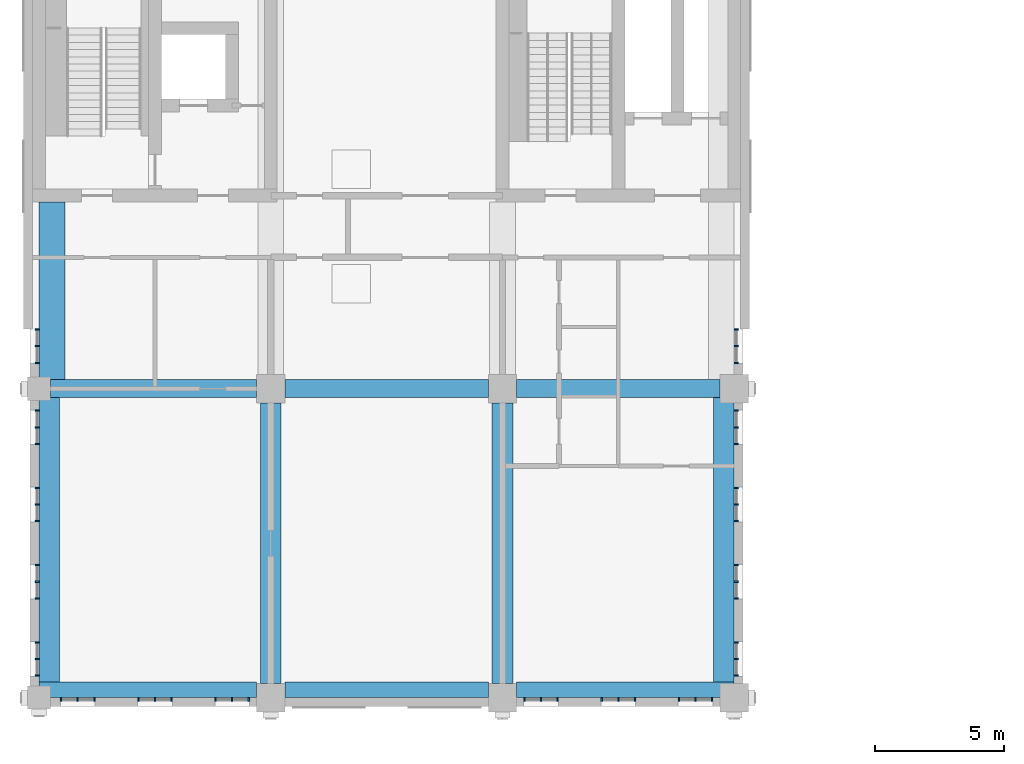
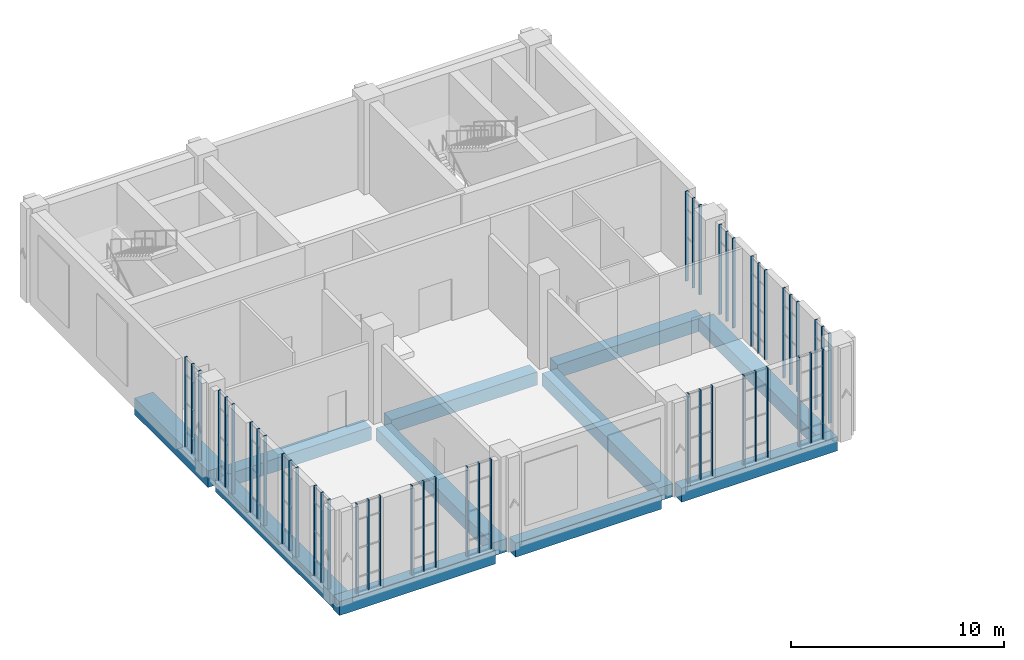
# One storey, part 2 of 22: 48 members, 11 beams, 16 elements without a shape of their own.
"""IFC4 building model written with IfcOpenShell, lengths in metres."""

from ifc_helpers import new_model, si_unit, direction, frame, origin, origin_2d, place, context, subcontext, project, spatial, rectangle, extrude, material, layer, layer_set, material_profile, profile_set, type_object, element, aggregate, save


model = new_model("IFC4")

# Units and contexts
model_context = context("Model", 3, precision=1e-05, world=origin(), true_north=direction((0.0, 1.0)))
body_context = subcontext(model_context, "Body", "Model", "MODEL_VIEW")
ifc_project = project(units=[si_unit("LENGTHUNIT", "METRE"), si_unit("AREAUNIT", "SQUARE_METRE"), si_unit("VOLUMEUNIT", "CUBIC_METRE"), si_unit("PLANEANGLEUNIT", "RADIAN"), si_unit("MASSUNIT", "GRAM", prefix="KILO")], contexts=[model_context])

# Site, building, storey
site_placement = place(None, origin())
site = spatial("IfcSite", under=ifc_project, at=site_placement, CompositionType="ELEMENT")
building_placement = place(site_placement, origin())
building = spatial("IfcBuilding", under=site, at=building_placement, Name="Aurelan Courthouse", CompositionType="ELEMENT")
storey_placement = place(building_placement, frame((0.0, 0.0, 39.0)))
storey = spatial("IfcBuildingStorey", under=building, at=storey_placement, Name="L07", CompositionType="ELEMENT", Elevation=39.0)

# Curtain wall, members
ifc_material_1 = material(Name="Bronze-finished aluminium and glass", Category="aluminium")
ifc_layer = layer(ifc_material_1, 0.14990234375)
ifc_layer_set = layer_set([ifc_layer], Name="Bronze-finished aluminium and glass")
curtain_wall_type = type_object("IfcCurtainWallType", Name="Curtain wall 1350 x 5150", PredefinedType="NOTDEFINED", material=ifc_layer_set)
curtain_wall_1_placement = place(storey_placement, origin())
curtain_wall_1 = element("IfcCurtainWall", 1, at=curtain_wall_1_placement, inside=storey, type_object=curtain_wall_type, Name="Curtain wall CW-V5-L07-S01", PredefinedType="NOTDEFINED")
ifc_material_2 = material(Name="Bronze-finished aluminium", Category="aluminium")
ifc_material_profile_1 = material_profile(ifc_material_2, rectangle(XDim=0.14990234375, YDim=0.06005859375, at=origin_2d()), Name="Bronze mullion 60 x 150")
ifc_profile_set_1 = profile_set([ifc_material_profile_1], Name="Bronze-finished aluminium")
member_type = type_object("IfcMemberType", Name="Curtain wall mullion 60 x 150", PredefinedType="MULLION", material=ifc_profile_set_1)
member_1_placement = place(storey_placement, frame((0.85498046875, -0.074951171875, 0.0), z_axis=(0.0, 0.0, 1.0), x_axis=(0.0, 1.0, 0.0)))
member_1 = element("IfcMember", 2, at=member_1_placement, type_object=member_type, Name="CW-V5-L07-S01 mullion 1", PredefinedType="MULLION", context=body_context, shape_type="SweptSolid", body=[
    extrude(rectangle(XDim=0.14990234375, YDim=0.06005859375, at=origin_2d()), origin(), (0.0, 0.0, 1.0), 5.14990234375),
])
member_2_placement = place(storey_placement, frame((1.5, -0.074951171875, 0.0), z_axis=(0.0, 0.0, 1.0), x_axis=(0.0, 1.0, 0.0)))
member_2 = element("IfcMember", 3, at=member_2_placement, type_object=member_type, Name="CW-V5-L07-S01 mullion 2", PredefinedType="MULLION", context=body_context, shape_type="SweptSolid", body=[
    extrude(rectangle(XDim=0.14990234375, YDim=0.06005859375, at=origin_2d()), origin(), (0.0, 0.0, 1.0), 5.14990234375),
])
member_3_placement = place(storey_placement, frame((2.14501953125, -0.074951171875, 0.0), z_axis=(0.0, 0.0, 1.0), x_axis=(0.0, 1.0, 0.0)))
member_3 = element("IfcMember", 4, at=member_3_placement, type_object=member_type, Name="CW-V5-L07-S01 mullion 3", PredefinedType="MULLION", context=body_context, shape_type="SweptSolid", body=[
    extrude(rectangle(XDim=0.14990234375, YDim=0.06005859375, at=origin_2d()), origin(), (0.0, 0.0, 1.0), 5.14990234375),
])
aggregate(curtain_wall_1, [member_1, member_2, member_3])

curtain_wall_2_placement = place(storey_placement, origin())
curtain_wall_2 = element("IfcCurtainWall", 5, at=curtain_wall_2_placement, inside=storey, type_object=curtain_wall_type, Name="Curtain wall CW-V5-L07-S02", PredefinedType="NOTDEFINED")
member_4_placement = place(storey_placement, frame((3.85498046875, -0.074951171875, 0.0), z_axis=(0.0, 0.0, 1.0), x_axis=(0.0, 1.0, 0.0)))
member_4 = element("IfcMember", 6, at=member_4_placement, type_object=member_type, Name="CW-V5-L07-S02 mullion 1", PredefinedType="MULLION", context=body_context, shape_type="SweptSolid", body=[
    extrude(rectangle(XDim=0.14990234375, YDim=0.06005859375, at=origin_2d()), origin(), (0.0, 0.0, 1.0), 5.14990234375),
])
member_5_placement = place(storey_placement, frame((4.5, -0.074951171875, 0.0), z_axis=(0.0, 0.0, 1.0), x_axis=(0.0, 1.0, 0.0)))
member_5 = element("IfcMember", 7, at=member_5_placement, type_object=member_type, Name="CW-V5-L07-S02 mullion 2", PredefinedType="MULLION", context=body_context, shape_type="SweptSolid", body=[
    extrude(rectangle(XDim=0.14990234375, YDim=0.06005859375, at=origin_2d()), origin(), (0.0, 0.0, 1.0), 5.14990234375),
])
member_6_placement = place(storey_placement, frame((5.14501953125, -0.074951171875, 0.0), z_axis=(0.0, 0.0, 1.0), x_axis=(0.0, 1.0, 0.0)))
member_6 = element("IfcMember", 8, at=member_6_placement, type_object=member_type, Name="CW-V5-L07-S02 mullion 3", PredefinedType="MULLION", context=body_context, shape_type="SweptSolid", body=[
    extrude(rectangle(XDim=0.14990234375, YDim=0.06005859375, at=origin_2d()), origin(), (0.0, 0.0, 1.0), 5.14990234375),
])
aggregate(curtain_wall_2, [member_4, member_5, member_6])

curtain_wall_3_placement = place(storey_placement, origin())
curtain_wall_3 = element("IfcCurtainWall", 9, at=curtain_wall_3_placement, inside=storey, type_object=curtain_wall_type, Name="Curtain wall CW-V5-L07-S03", PredefinedType="NOTDEFINED")
member_7_placement = place(storey_placement, frame((6.85498046875, -0.074951171875, 0.0), z_axis=(0.0, 0.0, 1.0), x_axis=(0.0, 1.0, 0.0)))
member_7 = element("IfcMember", 10, at=member_7_placement, type_object=member_type, Name="CW-V5-L07-S03 mullion 1", PredefinedType="MULLION", context=body_context, shape_type="SweptSolid", body=[
    extrude(rectangle(XDim=0.14990234375, YDim=0.06005859375, at=origin_2d()), origin(), (0.0, 0.0, 1.0), 5.14990234375),
])
member_8_placement = place(storey_placement, frame((7.5, -0.074951171875, 0.0), z_axis=(0.0, 0.0, 1.0), x_axis=(0.0, 1.0, 0.0)))
member_8 = element("IfcMember", 11, at=member_8_placement, type_object=member_type, Name="CW-V5-L07-S03 mullion 2", PredefinedType="MULLION", context=body_context, shape_type="SweptSolid", body=[
    extrude(rectangle(XDim=0.14990234375, YDim=0.06005859375, at=origin_2d()), origin(), (0.0, 0.0, 1.0), 5.14990234375),
])
member_9_placement = place(storey_placement, frame((8.14501953125, -0.074951171875, 0.0), z_axis=(0.0, 0.0, 1.0), x_axis=(0.0, 1.0, 0.0)))
member_9 = element("IfcMember", 12, at=member_9_placement, type_object=member_type, Name="CW-V5-L07-S03 mullion 3", PredefinedType="MULLION", context=body_context, shape_type="SweptSolid", body=[
    extrude(rectangle(XDim=0.14990234375, YDim=0.06005859375, at=origin_2d()), origin(), (0.0, 0.0, 1.0), 5.14990234375),
])
aggregate(curtain_wall_3, [member_7, member_8, member_9])

curtain_wall_4_placement = place(storey_placement, origin())
curtain_wall_4 = element("IfcCurtainWall", 13, at=curtain_wall_4_placement, inside=storey, type_object=curtain_wall_type, Name="Curtain wall CW-V5-L07-S04", PredefinedType="NOTDEFINED")
member_10_placement = place(storey_placement, frame((18.85498046875, -0.074951171875, 0.0), z_axis=(0.0, 0.0, 1.0), x_axis=(0.0, 1.0, 0.0)))
member_10 = element("IfcMember", 14, at=member_10_placement, type_object=member_type, Name="CW-V5-L07-S04 mullion 1", PredefinedType="MULLION", context=body_context, shape_type="SweptSolid", body=[
    extrude(rectangle(XDim=0.14990234375, YDim=0.06005859375, at=origin_2d()), origin(), (0.0, 0.0, 1.0), 5.14990234375),
])
member_11_placement = place(storey_placement, frame((19.5, -0.074951171875, 0.0), z_axis=(0.0, 0.0, 1.0), x_axis=(0.0, 1.0, 0.0)))
member_11 = element("IfcMember", 15, at=member_11_placement, type_object=member_type, Name="CW-V5-L07-S04 mullion 2", PredefinedType="MULLION", context=body_context, shape_type="SweptSolid", body=[
    extrude(rectangle(XDim=0.14990234375, YDim=0.06005859375, at=origin_2d()), origin(), (0.0, 0.0, 1.0), 5.14990234375),
])
member_12_placement = place(storey_placement, frame((20.14501953125, -0.074951171875, 0.0), z_axis=(0.0, 0.0, 1.0), x_axis=(0.0, 1.0, 0.0)))
member_12 = element("IfcMember", 16, at=member_12_placement, type_object=member_type, Name="CW-V5-L07-S04 mullion 3", PredefinedType="MULLION", context=body_context, shape_type="SweptSolid", body=[
    extrude(rectangle(XDim=0.14990234375, YDim=0.06005859375, at=origin_2d()), origin(), (0.0, 0.0, 1.0), 5.14990234375),
])
aggregate(curtain_wall_4, [member_10, member_11, member_12])

curtain_wall_5_placement = place(storey_placement, origin())
curtain_wall_5 = element("IfcCurtainWall", 17, at=curtain_wall_5_placement, inside=storey, type_object=curtain_wall_type, Name="Curtain wall CW-V5-L07-S05", PredefinedType="NOTDEFINED")
member_13_placement = place(storey_placement, frame((21.85498046875, -0.074951171875, 0.0), z_axis=(0.0, 0.0, 1.0), x_axis=(0.0, 1.0, 0.0)))
member_13 = element("IfcMember", 18, at=member_13_placement, type_object=member_type, Name="CW-V5-L07-S05 mullion 1", PredefinedType="MULLION", context=body_context, shape_type="SweptSolid", body=[
    extrude(rectangle(XDim=0.14990234375, YDim=0.06005859375, at=origin_2d()), origin(), (0.0, 0.0, 1.0), 5.14990234375),
])
member_14_placement = place(storey_placement, frame((22.5, -0.074951171875, 0.0), z_axis=(0.0, 0.0, 1.0), x_axis=(0.0, 1.0, 0.0)))
member_14 = element("IfcMember", 19, at=member_14_placement, type_object=member_type, Name="CW-V5-L07-S05 mullion 2", PredefinedType="MULLION", context=body_context, shape_type="SweptSolid", body=[
    extrude(rectangle(XDim=0.14990234375, YDim=0.06005859375, at=origin_2d()), origin(), (0.0, 0.0, 1.0), 5.14990234375),
])
member_15_placement = place(storey_placement, frame((23.14501953125, -0.074951171875, 0.0), z_axis=(0.0, 0.0, 1.0), x_axis=(0.0, 1.0, 0.0)))
member_15 = element("IfcMember", 20, at=member_15_placement, type_object=member_type, Name="CW-V5-L07-S05 mullion 3", PredefinedType="MULLION", context=body_context, shape_type="SweptSolid", body=[
    extrude(rectangle(XDim=0.14990234375, YDim=0.06005859375, at=origin_2d()), origin(), (0.0, 0.0, 1.0), 5.14990234375),
])
aggregate(curtain_wall_5, [member_13, member_14, member_15])

curtain_wall_6_placement = place(storey_placement, origin())
curtain_wall_6 = element("IfcCurtainWall", 21, at=curtain_wall_6_placement, inside=storey, type_object=curtain_wall_type, Name="Curtain wall CW-V5-L07-S06", PredefinedType="NOTDEFINED")
member_16_placement = place(storey_placement, frame((24.85498046875, -0.074951171875, 0.0), z_axis=(0.0, 0.0, 1.0), x_axis=(0.0, 1.0, 0.0)))
member_16 = element("IfcMember", 22, at=member_16_placement, type_object=member_type, Name="CW-V5-L07-S06 mullion 1", PredefinedType="MULLION", context=body_context, shape_type="SweptSolid", body=[
    extrude(rectangle(XDim=0.14990234375, YDim=0.06005859375, at=origin_2d()), origin(), (0.0, 0.0, 1.0), 5.14990234375),
])
member_17_placement = place(storey_placement, frame((25.5, -0.074951171875, 0.0), z_axis=(0.0, 0.0, 1.0), x_axis=(0.0, 1.0, 0.0)))
member_17 = element("IfcMember", 23, at=member_17_placement, type_object=member_type, Name="CW-V5-L07-S06 mullion 2", PredefinedType="MULLION", context=body_context, shape_type="SweptSolid", body=[
    extrude(rectangle(XDim=0.14990234375, YDim=0.06005859375, at=origin_2d()), origin(), (0.0, 0.0, 1.0), 5.14990234375),
])
member_18_placement = place(storey_placement, frame((26.14501953125, -0.074951171875, 0.0), z_axis=(0.0, 0.0, 1.0), x_axis=(0.0, 1.0, 0.0)))
member_18 = element("IfcMember", 24, at=member_18_placement, type_object=member_type, Name="CW-V5-L07-S06 mullion 3", PredefinedType="MULLION", context=body_context, shape_type="SweptSolid", body=[
    extrude(rectangle(XDim=0.14990234375, YDim=0.06005859375, at=origin_2d()), origin(), (0.0, 0.0, 1.0), 5.14990234375),
])
aggregate(curtain_wall_6, [member_16, member_17, member_18])

curtain_wall_7_placement = place(storey_placement, origin())
curtain_wall_7 = element("IfcCurtainWall", 25, at=curtain_wall_7_placement, inside=storey, type_object=curtain_wall_type, Name="Curtain wall CW-V5-L07-E01", PredefinedType="NOTDEFINED")
member_19_placement = place(storey_placement, frame((27.074951171875, 0.85498046875, 0.0), z_axis=(0.0, 0.0, 1.0), x_axis=(-1.0, 0.0, 0.0)))
member_19 = element("IfcMember", 26, at=member_19_placement, type_object=member_type, Name="CW-V5-L07-E01 mullion 1", PredefinedType="MULLION", context=body_context, shape_type="SweptSolid", body=[
    extrude(rectangle(XDim=0.14990234375, YDim=0.06005859375, at=origin_2d()), origin(), (0.0, 0.0, 1.0), 5.14990234375),
])
member_20_placement = place(storey_placement, frame((27.074951171875, 1.5, 0.0), z_axis=(0.0, 0.0, 1.0), x_axis=(-1.0, 0.0, 0.0)))
member_20 = element("IfcMember", 27, at=member_20_placement, type_object=member_type, Name="CW-V5-L07-E01 mullion 2", PredefinedType="MULLION", context=body_context, shape_type="SweptSolid", body=[
    extrude(rectangle(XDim=0.14990234375, YDim=0.06005859375, at=origin_2d()), origin(), (0.0, 0.0, 1.0), 5.14990234375),
])
member_21_placement = place(storey_placement, frame((27.074951171875, 2.14501953125, 0.0), z_axis=(0.0, 0.0, 1.0), x_axis=(-1.0, 0.0, 0.0)))
member_21 = element("IfcMember", 28, at=member_21_placement, type_object=member_type, Name="CW-V5-L07-E01 mullion 3", PredefinedType="MULLION", context=body_context, shape_type="SweptSolid", body=[
    extrude(rectangle(XDim=0.14990234375, YDim=0.06005859375, at=origin_2d()), origin(), (0.0, 0.0, 1.0), 5.14990234375),
])
aggregate(curtain_wall_7, [member_19, member_20, member_21])

curtain_wall_8_placement = place(storey_placement, origin())
curtain_wall_8 = element("IfcCurtainWall", 29, at=curtain_wall_8_placement, inside=storey, type_object=curtain_wall_type, Name="Curtain wall CW-V5-L07-E02", PredefinedType="NOTDEFINED")
member_22_placement = place(storey_placement, frame((27.074951171875, 3.85498046875, 0.0), z_axis=(0.0, 0.0, 1.0), x_axis=(-1.0, 0.0, 0.0)))
member_22 = element("IfcMember", 30, at=member_22_placement, type_object=member_type, Name="CW-V5-L07-E02 mullion 1", PredefinedType="MULLION", context=body_context, shape_type="SweptSolid", body=[
    extrude(rectangle(XDim=0.14990234375, YDim=0.06005859375, at=origin_2d()), origin(), (0.0, 0.0, 1.0), 5.14990234375),
])
member_23_placement = place(storey_placement, frame((27.074951171875, 4.5, 0.0), z_axis=(0.0, 0.0, 1.0), x_axis=(-1.0, 0.0, 0.0)))
member_23 = element("IfcMember", 31, at=member_23_placement, type_object=member_type, Name="CW-V5-L07-E02 mullion 2", PredefinedType="MULLION", context=body_context, shape_type="SweptSolid", body=[
    extrude(rectangle(XDim=0.14990234375, YDim=0.06005859375, at=origin_2d()), origin(), (0.0, 0.0, 1.0), 5.14990234375),
])
member_24_placement = place(storey_placement, frame((27.074951171875, 5.14501953125, 0.0), z_axis=(0.0, 0.0, 1.0), x_axis=(-1.0, 0.0, 0.0)))
member_24 = element("IfcMember", 32, at=member_24_placement, type_object=member_type, Name="CW-V5-L07-E02 mullion 3", PredefinedType="MULLION", context=body_context, shape_type="SweptSolid", body=[
    extrude(rectangle(XDim=0.14990234375, YDim=0.06005859375, at=origin_2d()), origin(), (0.0, 0.0, 1.0), 5.14990234375),
])
aggregate(curtain_wall_8, [member_22, member_23, member_24])

curtain_wall_9_placement = place(storey_placement, origin())
curtain_wall_9 = element("IfcCurtainWall", 33, at=curtain_wall_9_placement, inside=storey, type_object=curtain_wall_type, Name="Curtain wall CW-V5-L07-E03", PredefinedType="NOTDEFINED")
member_25_placement = place(storey_placement, frame((27.074951171875, 6.85498046875, 0.0), z_axis=(0.0, 0.0, 1.0), x_axis=(-1.0, 0.0, 0.0)))
member_25 = element("IfcMember", 34, at=member_25_placement, type_object=member_type, Name="CW-V5-L07-E03 mullion 1", PredefinedType="MULLION", context=body_context, shape_type="SweptSolid", body=[
    extrude(rectangle(XDim=0.14990234375, YDim=0.06005859375, at=origin_2d()), origin(), (0.0, 0.0, 1.0), 5.14990234375),
])
member_26_placement = place(storey_placement, frame((27.074951171875, 7.5, 0.0), z_axis=(0.0, 0.0, 1.0), x_axis=(-1.0, 0.0, 0.0)))
member_26 = element("IfcMember", 35, at=member_26_placement, type_object=member_type, Name="CW-V5-L07-E03 mullion 2", PredefinedType="MULLION", context=body_context, shape_type="SweptSolid", body=[
    extrude(rectangle(XDim=0.14990234375, YDim=0.06005859375, at=origin_2d()), origin(), (0.0, 0.0, 1.0), 5.14990234375),
])
member_27_placement = place(storey_placement, frame((27.074951171875, 8.14501953125, 0.0), z_axis=(0.0, 0.0, 1.0), x_axis=(-1.0, 0.0, 0.0)))
member_27 = element("IfcMember", 36, at=member_27_placement, type_object=member_type, Name="CW-V5-L07-E03 mullion 3", PredefinedType="MULLION", context=body_context, shape_type="SweptSolid", body=[
    extrude(rectangle(XDim=0.14990234375, YDim=0.06005859375, at=origin_2d()), origin(), (0.0, 0.0, 1.0), 5.14990234375),
])
aggregate(curtain_wall_9, [member_25, member_26, member_27])

curtain_wall_10_placement = place(storey_placement, origin())
curtain_wall_10 = element("IfcCurtainWall", 37, at=curtain_wall_10_placement, inside=storey, type_object=curtain_wall_type, Name="Curtain wall CW-V5-L07-E04", PredefinedType="NOTDEFINED")
member_28_placement = place(storey_placement, frame((27.074951171875, 9.85498046875, 0.0), z_axis=(0.0, 0.0, 1.0), x_axis=(-1.0, 0.0, 0.0)))
member_28 = element("IfcMember", 38, at=member_28_placement, type_object=member_type, Name="CW-V5-L07-E04 mullion 1", PredefinedType="MULLION", context=body_context, shape_type="SweptSolid", body=[
    extrude(rectangle(XDim=0.14990234375, YDim=0.06005859375, at=origin_2d()), origin(), (0.0, 0.0, 1.0), 5.14990234375),
])
member_29_placement = place(storey_placement, frame((27.074951171875, 10.5, 0.0), z_axis=(0.0, 0.0, 1.0), x_axis=(-1.0, 0.0, 0.0)))
member_29 = element("IfcMember", 39, at=member_29_placement, type_object=member_type, Name="CW-V5-L07-E04 mullion 2", PredefinedType="MULLION", context=body_context, shape_type="SweptSolid", body=[
    extrude(rectangle(XDim=0.14990234375, YDim=0.06005859375, at=origin_2d()), origin(), (0.0, 0.0, 1.0), 5.14990234375),
])
member_30_placement = place(storey_placement, frame((27.074951171875, 11.14501953125, 0.0), z_axis=(0.0, 0.0, 1.0), x_axis=(-1.0, 0.0, 0.0)))
member_30 = element("IfcMember", 40, at=member_30_placement, type_object=member_type, Name="CW-V5-L07-E04 mullion 3", PredefinedType="MULLION", context=body_context, shape_type="SweptSolid", body=[
    extrude(rectangle(XDim=0.14990234375, YDim=0.06005859375, at=origin_2d()), origin(), (0.0, 0.0, 1.0), 5.14990234375),
])
aggregate(curtain_wall_10, [member_28, member_29, member_30])

curtain_wall_11_placement = place(storey_placement, origin())
curtain_wall_11 = element("IfcCurtainWall", 41, at=curtain_wall_11_placement, inside=storey, type_object=curtain_wall_type, Name="Curtain wall CW-V5-L07-E05", PredefinedType="NOTDEFINED")
member_31_placement = place(storey_placement, frame((27.074951171875, 13.0048828125, 0.0), z_axis=(0.0, 0.0, 1.0), x_axis=(-1.0, 0.0, 0.0)))
member_31 = element("IfcMember", 42, at=member_31_placement, type_object=member_type, Name="CW-V5-L07-E05 mullion 1", PredefinedType="MULLION", context=body_context, shape_type="SweptSolid", body=[
    extrude(rectangle(XDim=0.14990234375, YDim=0.06005859375, at=origin_2d()), origin(), (0.0, 0.0, 1.0), 5.14990234375),
])
member_32_placement = place(storey_placement, frame((27.074951171875, 13.64990234375, 0.0), z_axis=(0.0, 0.0, 1.0), x_axis=(-1.0, 0.0, 0.0)))
member_32 = element("IfcMember", 43, at=member_32_placement, type_object=member_type, Name="CW-V5-L07-E05 mullion 2", PredefinedType="MULLION", context=body_context, shape_type="SweptSolid", body=[
    extrude(rectangle(XDim=0.14990234375, YDim=0.06005859375, at=origin_2d()), origin(), (0.0, 0.0, 1.0), 5.14990234375),
])
member_33_placement = place(storey_placement, frame((27.074951171875, 14.294921875, 0.0), z_axis=(0.0, 0.0, 1.0), x_axis=(-1.0, 0.0, 0.0)))
member_33 = element("IfcMember", 44, at=member_33_placement, type_object=member_type, Name="CW-V5-L07-E05 mullion 3", PredefinedType="MULLION", context=body_context, shape_type="SweptSolid", body=[
    extrude(rectangle(XDim=0.14990234375, YDim=0.06005859375, at=origin_2d()), origin(), (0.0, 0.0, 1.0), 5.14990234375),
])
aggregate(curtain_wall_11, [member_31, member_32, member_33])

curtain_wall_12_placement = place(storey_placement, origin())
curtain_wall_12 = element("IfcCurtainWall", 45, at=curtain_wall_12_placement, inside=storey, type_object=curtain_wall_type, Name="Curtain wall CW-V5-L07-W01", PredefinedType="NOTDEFINED")
member_34_placement = place(storey_placement, frame((-0.074951171875, 0.85498046875, 0.0), z_axis=(0.0, 0.0, 1.0), x_axis=(-1.0, 0.0, 0.0)))
member_34 = element("IfcMember", 46, at=member_34_placement, type_object=member_type, Name="CW-V5-L07-W01 mullion 1", PredefinedType="MULLION", context=body_context, shape_type="SweptSolid", body=[
    extrude(rectangle(XDim=0.14990234375, YDim=0.06005859375, at=origin_2d()), origin(), (0.0, 0.0, 1.0), 5.14990234375),
])
member_35_placement = place(storey_placement, frame((-0.074951171875, 1.5, 0.0), z_axis=(0.0, 0.0, 1.0), x_axis=(-1.0, 0.0, 0.0)))
member_35 = element("IfcMember", 47, at=member_35_placement, type_object=member_type, Name="CW-V5-L07-W01 mullion 2", PredefinedType="MULLION", context=body_context, shape_type="SweptSolid", body=[
    extrude(rectangle(XDim=0.14990234375, YDim=0.06005859375, at=origin_2d()), origin(), (0.0, 0.0, 1.0), 5.14990234375),
])
member_36_placement = place(storey_placement, frame((-0.074951171875, 2.14501953125, 0.0), z_axis=(0.0, 0.0, 1.0), x_axis=(-1.0, 0.0, 0.0)))
member_36 = element("IfcMember", 48, at=member_36_placement, type_object=member_type, Name="CW-V5-L07-W01 mullion 3", PredefinedType="MULLION", context=body_context, shape_type="SweptSolid", body=[
    extrude(rectangle(XDim=0.14990234375, YDim=0.06005859375, at=origin_2d()), origin(), (0.0, 0.0, 1.0), 5.14990234375),
])
aggregate(curtain_wall_12, [member_34, member_35, member_36])

curtain_wall_13_placement = place(storey_placement, origin())
curtain_wall_13 = element("IfcCurtainWall", 49, at=curtain_wall_13_placement, inside=storey, type_object=curtain_wall_type, Name="Curtain wall CW-V5-L07-W02", PredefinedType="NOTDEFINED")
member_37_placement = place(storey_placement, frame((-0.074951171875, 3.85498046875, 0.0), z_axis=(0.0, 0.0, 1.0), x_axis=(-1.0, 0.0, 0.0)))
member_37 = element("IfcMember", 50, at=member_37_placement, type_object=member_type, Name="CW-V5-L07-W02 mullion 1", PredefinedType="MULLION", context=body_context, shape_type="SweptSolid", body=[
    extrude(rectangle(XDim=0.14990234375, YDim=0.06005859375, at=origin_2d()), origin(), (0.0, 0.0, 1.0), 5.14990234375),
])
member_38_placement = place(storey_placement, frame((-0.074951171875, 4.5, 0.0), z_axis=(0.0, 0.0, 1.0), x_axis=(-1.0, 0.0, 0.0)))
member_38 = element("IfcMember", 51, at=member_38_placement, type_object=member_type, Name="CW-V5-L07-W02 mullion 2", PredefinedType="MULLION", context=body_context, shape_type="SweptSolid", body=[
    extrude(rectangle(XDim=0.14990234375, YDim=0.06005859375, at=origin_2d()), origin(), (0.0, 0.0, 1.0), 5.14990234375),
])
member_39_placement = place(storey_placement, frame((-0.074951171875, 5.14501953125, 0.0), z_axis=(0.0, 0.0, 1.0), x_axis=(-1.0, 0.0, 0.0)))
member_39 = element("IfcMember", 52, at=member_39_placement, type_object=member_type, Name="CW-V5-L07-W02 mullion 3", PredefinedType="MULLION", context=body_context, shape_type="SweptSolid", body=[
    extrude(rectangle(XDim=0.14990234375, YDim=0.06005859375, at=origin_2d()), origin(), (0.0, 0.0, 1.0), 5.14990234375),
])
aggregate(curtain_wall_13, [member_37, member_38, member_39])

curtain_wall_14_placement = place(storey_placement, origin())
curtain_wall_14 = element("IfcCurtainWall", 53, at=curtain_wall_14_placement, inside=storey, type_object=curtain_wall_type, Name="Curtain wall CW-V5-L07-W03", PredefinedType="NOTDEFINED")
member_40_placement = place(storey_placement, frame((-0.074951171875, 6.85498046875, 0.0), z_axis=(0.0, 0.0, 1.0), x_axis=(-1.0, 0.0, 0.0)))
member_40 = element("IfcMember", 54, at=member_40_placement, type_object=member_type, Name="CW-V5-L07-W03 mullion 1", PredefinedType="MULLION", context=body_context, shape_type="SweptSolid", body=[
    extrude(rectangle(XDim=0.14990234375, YDim=0.06005859375, at=origin_2d()), origin(), (0.0, 0.0, 1.0), 5.14990234375),
])
member_41_placement = place(storey_placement, frame((-0.074951171875, 7.5, 0.0), z_axis=(0.0, 0.0, 1.0), x_axis=(-1.0, 0.0, 0.0)))
member_41 = element("IfcMember", 55, at=member_41_placement, type_object=member_type, Name="CW-V5-L07-W03 mullion 2", PredefinedType="MULLION", context=body_context, shape_type="SweptSolid", body=[
    extrude(rectangle(XDim=0.14990234375, YDim=0.06005859375, at=origin_2d()), origin(), (0.0, 0.0, 1.0), 5.14990234375),
])
member_42_placement = place(storey_placement, frame((-0.074951171875, 8.14501953125, 0.0), z_axis=(0.0, 0.0, 1.0), x_axis=(-1.0, 0.0, 0.0)))
member_42 = element("IfcMember", 56, at=member_42_placement, type_object=member_type, Name="CW-V5-L07-W03 mullion 3", PredefinedType="MULLION", context=body_context, shape_type="SweptSolid", body=[
    extrude(rectangle(XDim=0.14990234375, YDim=0.06005859375, at=origin_2d()), origin(), (0.0, 0.0, 1.0), 5.14990234375),
])
aggregate(curtain_wall_14, [member_40, member_41, member_42])

curtain_wall_15_placement = place(storey_placement, origin())
curtain_wall_15 = element("IfcCurtainWall", 57, at=curtain_wall_15_placement, inside=storey, type_object=curtain_wall_type, Name="Curtain wall CW-V5-L07-W04", PredefinedType="NOTDEFINED")
member_43_placement = place(storey_placement, frame((-0.074951171875, 9.85498046875, 0.0), z_axis=(0.0, 0.0, 1.0), x_axis=(-1.0, 0.0, 0.0)))
member_43 = element("IfcMember", 58, at=member_43_placement, type_object=member_type, Name="CW-V5-L07-W04 mullion 1", PredefinedType="MULLION", context=body_context, shape_type="SweptSolid", body=[
    extrude(rectangle(XDim=0.14990234375, YDim=0.06005859375, at=origin_2d()), origin(), (0.0, 0.0, 1.0), 5.14990234375),
])
member_44_placement = place(storey_placement, frame((-0.074951171875, 10.5, 0.0), z_axis=(0.0, 0.0, 1.0), x_axis=(-1.0, 0.0, 0.0)))
member_44 = element("IfcMember", 59, at=member_44_placement, type_object=member_type, Name="CW-V5-L07-W04 mullion 2", PredefinedType="MULLION", context=body_context, shape_type="SweptSolid", body=[
    extrude(rectangle(XDim=0.14990234375, YDim=0.06005859375, at=origin_2d()), origin(), (0.0, 0.0, 1.0), 5.14990234375),
])
member_45_placement = place(storey_placement, frame((-0.074951171875, 11.14501953125, 0.0), z_axis=(0.0, 0.0, 1.0), x_axis=(-1.0, 0.0, 0.0)))
member_45 = element("IfcMember", 60, at=member_45_placement, type_object=member_type, Name="CW-V5-L07-W04 mullion 3", PredefinedType="MULLION", context=body_context, shape_type="SweptSolid", body=[
    extrude(rectangle(XDim=0.14990234375, YDim=0.06005859375, at=origin_2d()), origin(), (0.0, 0.0, 1.0), 5.14990234375),
])
aggregate(curtain_wall_15, [member_43, member_44, member_45])

curtain_wall_16_placement = place(storey_placement, origin())
curtain_wall_16 = element("IfcCurtainWall", 61, at=curtain_wall_16_placement, inside=storey, type_object=curtain_wall_type, Name="Curtain wall CW-V5-L07-W05", PredefinedType="NOTDEFINED")
member_46_placement = place(storey_placement, frame((-0.074951171875, 13.0048828125, 0.0), z_axis=(0.0, 0.0, 1.0), x_axis=(-1.0, 0.0, 0.0)))
member_46 = element("IfcMember", 62, at=member_46_placement, type_object=member_type, Name="CW-V5-L07-W05 mullion 1", PredefinedType="MULLION", context=body_context, shape_type="SweptSolid", body=[
    extrude(rectangle(XDim=0.14990234375, YDim=0.06005859375, at=origin_2d()), origin(), (0.0, 0.0, 1.0), 5.14990234375),
])
member_47_placement = place(storey_placement, frame((-0.074951171875, 13.64990234375, 0.0), z_axis=(0.0, 0.0, 1.0), x_axis=(-1.0, 0.0, 0.0)))
member_47 = element("IfcMember", 63, at=member_47_placement, type_object=member_type, Name="CW-V5-L07-W05 mullion 2", PredefinedType="MULLION", context=body_context, shape_type="SweptSolid", body=[
    extrude(rectangle(XDim=0.14990234375, YDim=0.06005859375, at=origin_2d()), origin(), (0.0, 0.0, 1.0), 5.14990234375),
])
member_48_placement = place(storey_placement, frame((-0.074951171875, 14.294921875, 0.0), z_axis=(0.0, 0.0, 1.0), x_axis=(-1.0, 0.0, 0.0)))
member_48 = element("IfcMember", 64, at=member_48_placement, type_object=member_type, Name="CW-V5-L07-W05 mullion 3", PredefinedType="MULLION", context=body_context, shape_type="SweptSolid", body=[
    extrude(rectangle(XDim=0.14990234375, YDim=0.06005859375, at=origin_2d()), origin(), (0.0, 0.0, 1.0), 5.14990234375),
])
aggregate(curtain_wall_16, [member_46, member_47, member_48])

# Beams
ifc_material_3 = material(Name="Concrete C50", Category="concrete")
ifc_material_profile_2 = material_profile(ifc_material_3, rectangle(XDim=0.699951171875, YDim=0.75, at=origin_2d()), Name="RC 700 x 750")
ifc_profile_set_2 = profile_set([ifc_material_profile_2], Name="Concrete C50")
beam_type_1 = type_object("IfcBeamType", Name="PT beam 700 x 750", PredefinedType="BEAM", material=ifc_profile_set_2)
beam_1_placement = place(storey_placement, frame((0.449951171875, 12.0, -0.625), z_axis=(1.0, 0.0, 0.0), x_axis=(0.0, 1.0, 0.0)))
element("IfcBeam", 65, at=beam_1_placement, inside=storey, type_object=beam_type_1, Name="Beam EB-B-1-2", PredefinedType="BEAM", context=body_context, shape_type="SweptSolid", body=[
    extrude(rectangle(XDim=0.699951171875, YDim=0.75, at=origin_2d()), origin(), (0.0, 0.0, 1.0), 8.0),
])
for number, where, z_axis, x_axis, name in (
    (66, (9.550048828125, 12.0, -0.625), (1.0, 0.0, 0.0), (0.0, 1.0, 0.0), "Beam EB-B-2-3"),
    (67, (18.550048828125, 12.0, -0.625), (1.0, 0.0, 0.0), (0.0, 1.0, 0.0), "Beam EB-B-3-4"),
):
    element("IfcBeam", number, at=place(storey_placement, frame(where, z_axis=z_axis, x_axis=x_axis)), inside=storey, type_object=beam_type_1, Name=name, PredefinedType="BEAM", context=body_context, shape_type="SweptSolid", body=[
        extrude(rectangle(XDim=0.699951171875, YDim=0.75, at=origin_2d()), origin(), (0.0, 0.0, 1.0), 7.89990234375),
    ])
ifc_material_profile_3 = material_profile(ifc_material_3, rectangle(XDim=1.0, YDim=0.949951171875, at=origin_2d()), Name="RC 1000 x 950")
ifc_profile_set_3 = profile_set([ifc_material_profile_3], Name="Concrete C50")
beam_type_2 = type_object("IfcBeamType", Name="PT girder 1000 x 950", PredefinedType="BEAM", material=ifc_profile_set_3)
beam_2_placement = place(storey_placement, frame((0.5, 12.35009765625, -0.72509765625), z_axis=(0.0, 1.0, 0.0), x_axis=(-1.0, 0.0, 0.0)))
element("IfcBeam", 68, at=beam_2_placement, inside=storey, type_object=beam_type_2, Name="Girder GB-1BC-E", PredefinedType="BEAM", context=body_context, shape_type="SweptSolid", body=[
    extrude(rectangle(XDim=1.0, YDim=0.949951171875, at=origin_2d()), origin(), (0.0, 0.0, 1.0), 6.89990234375),
])
ifc_material_profile_4 = material_profile(ifc_material_3, rectangle(XDim=0.800048828125, YDim=0.75, at=origin_2d()), Name="RC 800 x 750")
ifc_profile_set_4 = profile_set([ifc_material_profile_4], Name="Concrete C50")
beam_type_3 = type_object("IfcBeamType", Name="PT girder 800 x 750", PredefinedType="BEAM", material=ifc_profile_set_4)
beam_3_placement = place(storey_placement, frame((0.39990234375, 0.60009765625, -0.625), z_axis=(0.0, 1.0, 0.0), x_axis=(-1.0, 0.0, 0.0)))
element("IfcBeam", 69, at=beam_3_placement, inside=storey, type_object=beam_type_3, Name="Girder GB-1AB-E", PredefinedType="BEAM", context=body_context, shape_type="SweptSolid", body=[
    extrude(rectangle(XDim=0.800048828125, YDim=0.75, at=origin_2d()), origin(), (0.0, 0.0, 1.0), 11.0498046875),
])
for number, where, z_axis, x_axis, name in (
    (70, (9.0, 0.550048828125, -0.625), (0.0, 1.0, 0.0), (-1.0, 0.0, 0.0), "Girder GB-2AB"),
    (71, (18.0, 0.550048828125, -0.625), (0.0, 1.0, 0.0), (-1.0, 0.0, 0.0), "Girder GB-3AB"),
):
    element("IfcBeam", number, at=place(storey_placement, frame(where, z_axis=z_axis, x_axis=x_axis)), inside=storey, type_object=beam_type_3, Name=name, PredefinedType="BEAM", context=body_context, shape_type="SweptSolid", body=[
        extrude(rectangle(XDim=0.800048828125, YDim=0.75, at=origin_2d()), origin(), (0.0, 0.0, 1.0), 10.89990234375),
    ])
beam_4_placement = place(storey_placement, frame((26.60009765625, 0.60009765625, -0.625), z_axis=(0.0, 1.0, 0.0), x_axis=(-1.0, 0.0, 0.0)))
element("IfcBeam", 72, at=beam_4_placement, inside=storey, type_object=beam_type_3, Name="Girder GB-4AB-E", PredefinedType="BEAM", context=body_context, shape_type="SweptSolid", body=[
    extrude(rectangle(XDim=0.800048828125, YDim=0.75, at=origin_2d()), origin(), (0.0, 0.0, 1.0), 11.0498046875),
])
ifc_material_profile_5 = material_profile(ifc_material_3, rectangle(XDim=0.60009765625, YDim=0.800048828125, at=origin_2d()), Name="RC 600 x 800")
ifc_profile_set_5 = profile_set([ifc_material_profile_5], Name="Concrete C50")
beam_type_4 = type_object("IfcBeamType", Name="RC spandrel beam 600 x 800", PredefinedType="SPANDREL", material=ifc_profile_set_5)
beam_5_placement = place(storey_placement, frame((0.0, 0.300048828125, -0.64990234375), z_axis=(1.0, 0.0, 0.0), x_axis=(0.0, 1.0, 0.0)))
element("IfcBeam", 73, at=beam_5_placement, inside=storey, type_object=beam_type_4, Name="Spandrel beam SB-A-1-2", PredefinedType="SPANDREL", context=body_context, shape_type="SweptSolid", body=[
    extrude(rectangle(XDim=0.60009765625, YDim=0.800048828125, at=origin_2d()), origin(), (0.0, 0.0, 1.0), 8.449951171875),
])
beam_6_placement = place(storey_placement, frame((9.550048828125, 0.300048828125, -0.64990234375), z_axis=(1.0, 0.0, 0.0), x_axis=(0.0, 1.0, 0.0)))
element("IfcBeam", 74, at=beam_6_placement, inside=storey, type_object=beam_type_4, Name="Spandrel beam SB-A-2-3", PredefinedType="SPANDREL", context=body_context, shape_type="SweptSolid", body=[
    extrude(rectangle(XDim=0.60009765625, YDim=0.800048828125, at=origin_2d()), origin(), (0.0, 0.0, 1.0), 7.89990234375),
])
beam_7_placement = place(storey_placement, frame((18.550048828125, 0.300048828125, -0.64990234375), z_axis=(1.0, 0.0, 0.0), x_axis=(0.0, 1.0, 0.0)))
element("IfcBeam", 75, at=beam_7_placement, inside=storey, type_object=beam_type_4, Name="Spandrel beam SB-A-3-4", PredefinedType="SPANDREL", context=body_context, shape_type="SweptSolid", body=[
    extrude(rectangle(XDim=0.60009765625, YDim=0.800048828125, at=origin_2d()), origin(), (0.0, 0.0, 1.0), 8.449951171875),
])

save(model, "model.ifc")
